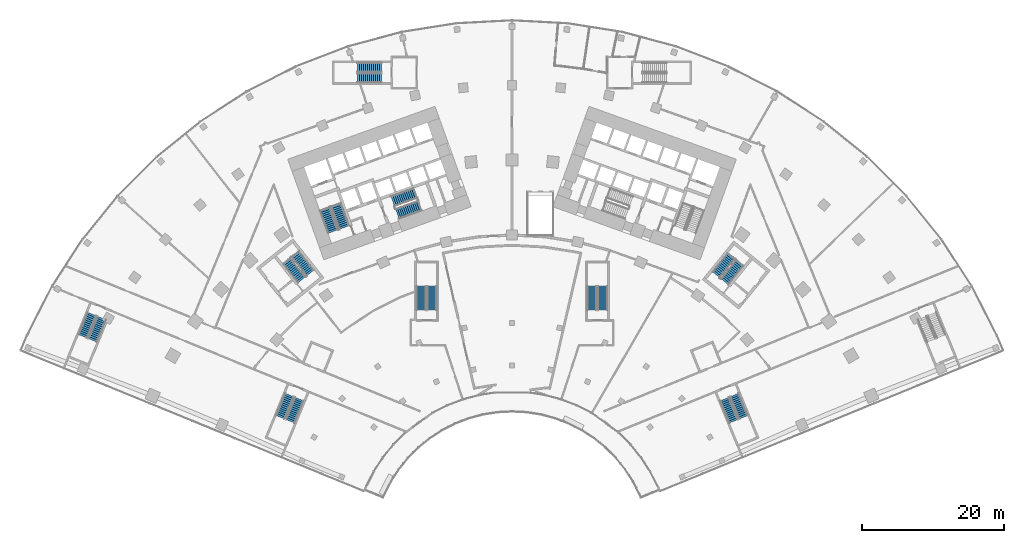
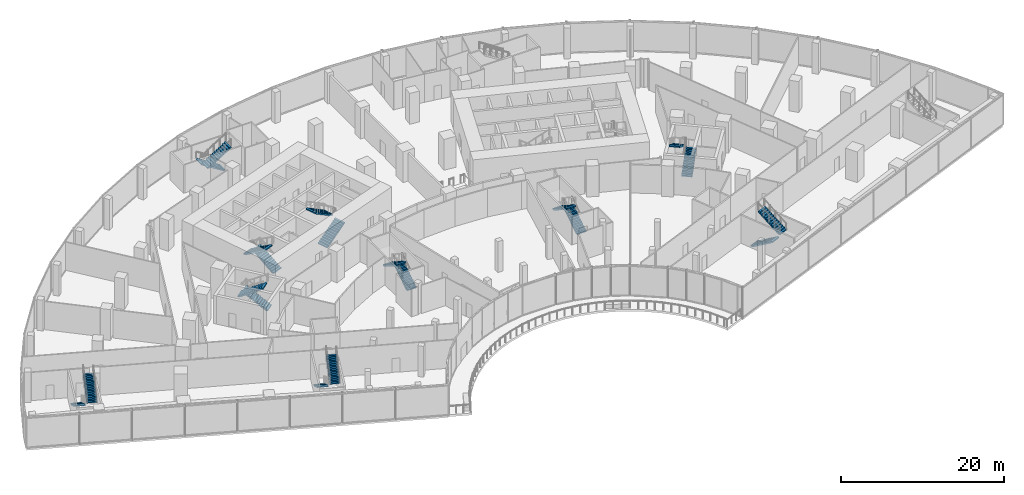
# One storey, part 31 of 40: 20 stair flights, 10 elements without a shape of their own.
"""IFC4 building model written with IfcOpenShell, lengths in metres."""

from ifc_helpers import new_model, si_unit, direction, frame, origin, place, context, subcontext, project, spatial, polyline, outline, extrude, material, layer, layer_set, type_object, element, aggregate, save


model = new_model("IFC4")

# Units and contexts
model_context = context("Model", 3, precision=1e-05, world=origin(), true_north=direction((0.0, 1.0)))
body_context = subcontext(model_context, "Body", "Model", "MODEL_VIEW")
ifc_project = project(units=[si_unit("LENGTHUNIT", "METRE"), si_unit("AREAUNIT", "SQUARE_METRE"), si_unit("VOLUMEUNIT", "CUBIC_METRE"), si_unit("PLANEANGLEUNIT", "RADIAN"), si_unit("MASSUNIT", "GRAM", prefix="KILO")], contexts=[model_context])

# Site, building, storey
site_placement = place(None, origin())
site = spatial("IfcSite", under=ifc_project, at=site_placement, CompositionType="ELEMENT")
building_placement = place(site_placement, origin())
building = spatial("IfcBuilding", under=site, at=building_placement, Name="Stone Belt Terrace Tower", CompositionType="ELEMENT")
storey_placement = place(building_placement, frame((0.0, 0.0, 11.60009765625)))
storey = spatial("IfcBuildingStorey", under=building, at=storey_placement, Name="L02", CompositionType="ELEMENT", Elevation=11.60009765625)

# Stair, stair flights
ifc_material_1 = material(Name="Concrete B30", Category="concrete")
stair_type_1 = type_object("IfcStairType", Name="Podium stair concrete B30", PredefinedType="HALF_TURN_STAIR", material=ifc_material_1)
stair_1_placement = place(storey_placement, origin())
stair_1 = element("IfcStair", 1, at=stair_1_placement, inside=storey, type_object=stair_type_1, Name="L02 podium exit stair 1", PredefinedType="HALF_TURN_STAIR")
ifc_layer = layer(ifc_material_1, 0.14990234375)
ifc_layer_set = layer_set([ifc_layer], Name="Podium stair flight concrete B30")
stair_flight_type_1 = type_object("IfcStairFlightType", Name="Podium stair flight concrete B30", PredefinedType="STRAIGHT", material=ifc_layer_set)
stair_flight_1_placement = place(storey_placement, frame((-31.255126953125, 21.964111328125, 0.0), z_axis=(0.0, 0.0, 1.0), x_axis=(-0.37924309334, -0.925297074541, 0.0)))
stair_flight_1 = element("IfcStairFlight", 2, at=stair_flight_1_placement, type_object=stair_flight_type_1, Name="PS1 flight 1", NumberOfRisers=13, NumberOfTreads=12, PredefinedType="STRAIGHT", RiserHeight=0.176923077, TreadLength=0.28, context=body_context, shape_type="SweptSolid", body=[
    extrude(outline(polyline([(0.0, 0.0), (0.0, 0.177001953125), (0.280029296875, 0.177001953125), (0.280029296875, 0.353759765625), (0.56005859375, 0.353759765625), (0.56005859375, 0.53076171875), (0.840087890625, 0.53076171875), (0.840087890625, 0.707763671875), (1.1201171875, 0.707763671875), (1.1201171875, 0.884521484375), (1.39990234375, 0.884521484375), (1.39990234375, 1.0615234375), (1.679931640625, 1.0615234375), (1.679931640625, 1.238525390625), (1.9599609375, 1.238525390625), (1.9599609375, 1.415283203125), (2.239990234375, 1.415283203125), (2.239990234375, 1.59228515625), (2.52001953125, 1.59228515625), (2.52001953125, 1.769287109375), (2.800048828125, 1.769287109375), (2.800048828125, 1.946044921875), (3.080078125, 1.946044921875), (3.080078125, 2.123046875), (3.360107421875, 2.123046875), (3.360107421875, 2.300048828125), (3.360107421875, 1.94580078125), (0.280517578125, 0.0), (0.0, 0.0)])), frame((0.0, 0.675048828125, 0.0), z_axis=(0.0, -1.0, 0.0), x_axis=(1.0, 0.0, 0.0)), (0.0, 0.0, 1.0), 1.35009765625),
])
stair_flight_2_placement = place(storey_placement, frame((-31.141357421875, 18.2861328125, 2.2998046875), z_axis=(0.0, 0.0, 1.0), x_axis=(0.37924309334, 0.925297074541, 0.0)))
stair_flight_2 = element("IfcStairFlight", 3, at=stair_flight_2_placement, type_object=stair_flight_type_1, Name="PS1 flight 2", NumberOfRisers=13, NumberOfTreads=12, PredefinedType="STRAIGHT", RiserHeight=0.176923077, TreadLength=0.28, context=body_context, shape_type="SweptSolid", body=[
    extrude(outline(polyline([(0.0, 0.0), (0.0, 0.177001953125), (0.280029296875, 0.177001953125), (0.280029296875, 0.353759765625), (0.56005859375, 0.353759765625), (0.56005859375, 0.53076171875), (0.840087890625, 0.53076171875), (0.840087890625, 0.707763671875), (1.1201171875, 0.707763671875), (1.1201171875, 0.884521484375), (1.39990234375, 0.884521484375), (1.39990234375, 1.0615234375), (1.679931640625, 1.0615234375), (1.679931640625, 1.238525390625), (1.9599609375, 1.238525390625), (1.9599609375, 1.415283203125), (2.239990234375, 1.415283203125), (2.239990234375, 1.59228515625), (2.52001953125, 1.59228515625), (2.52001953125, 1.769287109375), (2.800048828125, 1.769287109375), (2.800048828125, 1.946044921875), (3.080078125, 1.946044921875), (3.080078125, 2.123046875), (3.360107421875, 2.123046875), (3.360107421875, 2.300048828125), (3.360107421875, 1.94580078125), (0.280517578125, 0.0), (0.0, 0.0)])), frame((0.0, 0.675048828125, 0.0), z_axis=(0.0, -1.0, 0.0), x_axis=(1.0, 0.0, 0.0)), (0.0, 0.0, 1.0), 1.35009765625),
])
aggregate(stair_1, [stair_flight_1, stair_flight_2])

stair_2_placement = place(storey_placement, origin())
stair_2 = element("IfcStair", 4, at=stair_2_placement, inside=storey, type_object=stair_type_1, Name="L02 podium exit stair 2", PredefinedType="HALF_TURN_STAIR")
stair_flight_3_placement = place(storey_placement, frame((-59.01416015625, 33.34130859375, 0.0), z_axis=(0.0, 0.0, 1.0), x_axis=(-0.37924309334, -0.925297074541, 0.0)))
stair_flight_3 = element("IfcStairFlight", 5, at=stair_flight_3_placement, type_object=stair_flight_type_1, Name="PS2 flight 1", NumberOfRisers=13, NumberOfTreads=12, PredefinedType="STRAIGHT", RiserHeight=0.176923077, TreadLength=0.28, context=body_context, shape_type="SweptSolid", body=[
    extrude(outline(polyline([(0.0, 0.0), (0.0, 0.177001953125), (0.280029296875, 0.177001953125), (0.280029296875, 0.353759765625), (0.56005859375, 0.353759765625), (0.56005859375, 0.53076171875), (0.840087890625, 0.53076171875), (0.840087890625, 0.707763671875), (1.1201171875, 0.707763671875), (1.1201171875, 0.884521484375), (1.39990234375, 0.884521484375), (1.39990234375, 1.0615234375), (1.679931640625, 1.0615234375), (1.679931640625, 1.238525390625), (1.9599609375, 1.238525390625), (1.9599609375, 1.415283203125), (2.239990234375, 1.415283203125), (2.239990234375, 1.59228515625), (2.52001953125, 1.59228515625), (2.52001953125, 1.769287109375), (2.800048828125, 1.769287109375), (2.800048828125, 1.946044921875), (3.080078125, 1.946044921875), (3.080078125, 2.123046875), (3.360107421875, 2.123046875), (3.360107421875, 2.300048828125), (3.360107421875, 1.94580078125), (0.280517578125, 0.0), (0.0, 0.0)])), frame((0.0, 0.675048828125, 0.0), z_axis=(0.0, -1.0, 0.0), x_axis=(1.0, 0.0, 0.0)), (0.0, 0.0, 1.0), 1.35009765625),
])
stair_flight_4_placement = place(storey_placement, frame((-58.900390625, 29.66357421875, 2.2998046875), z_axis=(0.0, 0.0, 1.0), x_axis=(0.37924309334, 0.925297074541, 0.0)))
stair_flight_4 = element("IfcStairFlight", 6, at=stair_flight_4_placement, type_object=stair_flight_type_1, Name="PS2 flight 2", NumberOfRisers=13, NumberOfTreads=12, PredefinedType="STRAIGHT", RiserHeight=0.176923077, TreadLength=0.28, context=body_context, shape_type="SweptSolid", body=[
    extrude(outline(polyline([(0.0, 0.0), (0.0, 0.177001953125), (0.280029296875, 0.177001953125), (0.280029296875, 0.353759765625), (0.56005859375, 0.353759765625), (0.56005859375, 0.53076171875), (0.840087890625, 0.53076171875), (0.840087890625, 0.707763671875), (1.1201171875, 0.707763671875), (1.1201171875, 0.884521484375), (1.39990234375, 0.884521484375), (1.39990234375, 1.0615234375), (1.679931640625, 1.0615234375), (1.679931640625, 1.238525390625), (1.9599609375, 1.238525390625), (1.9599609375, 1.415283203125), (2.239990234375, 1.415283203125), (2.239990234375, 1.59228515625), (2.52001953125, 1.59228515625), (2.52001953125, 1.769287109375), (2.800048828125, 1.769287109375), (2.800048828125, 1.946044921875), (3.080078125, 1.946044921875), (3.080078125, 2.123046875), (3.360107421875, 2.123046875), (3.360107421875, 2.300048828125), (3.360107421875, 1.94580078125), (0.280517578125, 0.0), (0.0, 0.0)])), frame((0.0, 0.675048828125, 0.0), z_axis=(0.0, -1.0, 0.0), x_axis=(1.0, 0.0, 0.0)), (0.0, 0.0, 1.0), 1.35009765625),
])
aggregate(stair_2, [stair_flight_3, stair_flight_4])

stair_3_placement = place(storey_placement, origin())
stair_3 = element("IfcStair", 7, at=stair_3_placement, inside=storey, type_object=stair_type_1, Name="L02 podium exit stair 3", PredefinedType="HALF_TURN_STAIR")
stair_flight_5_placement = place(storey_placement, frame((29.8671875, 21.395263671875, 0.0), z_axis=(0.0, 0.0, 1.0), x_axis=(0.37924309334, -0.925297074541, 0.0)))
stair_flight_5 = element("IfcStairFlight", 8, at=stair_flight_5_placement, type_object=stair_flight_type_1, Name="PS3 flight 1", NumberOfRisers=13, NumberOfTreads=12, PredefinedType="STRAIGHT", RiserHeight=0.176923077, TreadLength=0.28, context=body_context, shape_type="SweptSolid", body=[
    extrude(outline(polyline([(0.0, 0.0), (0.0, 0.177001953125), (0.280029296875, 0.177001953125), (0.280029296875, 0.353759765625), (0.56005859375, 0.353759765625), (0.56005859375, 0.53076171875), (0.840087890625, 0.53076171875), (0.840087890625, 0.707763671875), (1.1201171875, 0.707763671875), (1.1201171875, 0.884521484375), (1.39990234375, 0.884521484375), (1.39990234375, 1.0615234375), (1.679931640625, 1.0615234375), (1.679931640625, 1.238525390625), (1.9599609375, 1.238525390625), (1.9599609375, 1.415283203125), (2.239990234375, 1.415283203125), (2.239990234375, 1.59228515625), (2.52001953125, 1.59228515625), (2.52001953125, 1.769287109375), (2.800048828125, 1.769287109375), (2.800048828125, 1.946044921875), (3.080078125, 1.946044921875), (3.080078125, 2.123046875), (3.360107421875, 2.123046875), (3.360107421875, 2.300048828125), (3.360107421875, 1.94580078125), (0.280517578125, 0.0), (0.0, 0.0)])), frame((0.0, 0.675048828125, 0.0), z_axis=(0.0, -1.0, 0.0), x_axis=(1.0, 0.0, 0.0)), (0.0, 0.0, 1.0), 1.35009765625),
])
stair_flight_6_placement = place(storey_placement, frame((32.529296875, 18.85498046875, 2.2998046875), z_axis=(0.0, 0.0, 1.0), x_axis=(-0.37924309334, 0.925297074541, 0.0)))
stair_flight_6 = element("IfcStairFlight", 9, at=stair_flight_6_placement, type_object=stair_flight_type_1, Name="PS3 flight 2", NumberOfRisers=13, NumberOfTreads=12, PredefinedType="STRAIGHT", RiserHeight=0.176923077, TreadLength=0.28, context=body_context, shape_type="SweptSolid", body=[
    extrude(outline(polyline([(0.0, 0.0), (0.0, 0.177001953125), (0.280029296875, 0.177001953125), (0.280029296875, 0.353759765625), (0.56005859375, 0.353759765625), (0.56005859375, 0.53076171875), (0.840087890625, 0.53076171875), (0.840087890625, 0.707763671875), (1.1201171875, 0.707763671875), (1.1201171875, 0.884521484375), (1.39990234375, 0.884521484375), (1.39990234375, 1.0615234375), (1.679931640625, 1.0615234375), (1.679931640625, 1.238525390625), (1.9599609375, 1.238525390625), (1.9599609375, 1.415283203125), (2.239990234375, 1.415283203125), (2.239990234375, 1.59228515625), (2.52001953125, 1.59228515625), (2.52001953125, 1.769287109375), (2.800048828125, 1.769287109375), (2.800048828125, 1.946044921875), (3.080078125, 1.946044921875), (3.080078125, 2.123046875), (3.360107421875, 2.123046875), (3.360107421875, 2.300048828125), (3.360107421875, 1.94580078125), (0.280517578125, 0.0), (0.0, 0.0)])), frame((0.0, 0.675048828125, 0.0), z_axis=(0.0, -1.0, 0.0), x_axis=(1.0, 0.0, 0.0)), (0.0, 0.0, 1.0), 1.35009765625),
])
aggregate(stair_3, [stair_flight_5, stair_flight_6])

stair_4_placement = place(storey_placement, origin())
stair_4 = element("IfcStair", 10, at=stair_4_placement, inside=storey, type_object=stair_type_1, Name="L02 podium exit stair 5", PredefinedType="HALF_TURN_STAIR")
stair_flight_7_placement = place(storey_placement, frame((-11.25, 33.889892578125, 0.0), z_axis=(0.0, 0.0, 1.0), x_axis=(0.0, 1.0, 0.0)))
stair_flight_7 = element("IfcStairFlight", 11, at=stair_flight_7_placement, type_object=stair_flight_type_1, Name="PS5 flight 1", NumberOfRisers=13, NumberOfTreads=12, PredefinedType="STRAIGHT", RiserHeight=0.176923077, TreadLength=0.28, context=body_context, shape_type="SweptSolid", body=[
    extrude(outline(polyline([(0.0, 0.0), (0.0, 0.177001953125), (0.280029296875, 0.177001953125), (0.280029296875, 0.353759765625), (0.56005859375, 0.353759765625), (0.56005859375, 0.53076171875), (0.840087890625, 0.53076171875), (0.840087890625, 0.707763671875), (1.1201171875, 0.707763671875), (1.1201171875, 0.884521484375), (1.39990234375, 0.884521484375), (1.39990234375, 1.0615234375), (1.679931640625, 1.0615234375), (1.679931640625, 1.238525390625), (1.9599609375, 1.238525390625), (1.9599609375, 1.415283203125), (2.239990234375, 1.415283203125), (2.239990234375, 1.59228515625), (2.52001953125, 1.59228515625), (2.52001953125, 1.769287109375), (2.800048828125, 1.769287109375), (2.800048828125, 1.946044921875), (3.080078125, 1.946044921875), (3.080078125, 2.123046875), (3.360107421875, 2.123046875), (3.360107421875, 2.300048828125), (3.360107421875, 1.94580078125), (0.280517578125, 0.0), (0.0, 0.0)])), frame((0.0, 0.675048828125, 0.0), z_axis=(0.0, -1.0, 0.0), x_axis=(1.0, 0.0, 0.0)), (0.0, 0.0, 1.0), 1.35009765625),
])
stair_flight_8_placement = place(storey_placement, frame((-12.75, 37.25, 2.2998046875), z_axis=(0.0, 0.0, 1.0), x_axis=(0.0, -1.0, 0.0)))
stair_flight_8 = element("IfcStairFlight", 12, at=stair_flight_8_placement, type_object=stair_flight_type_1, Name="PS5 flight 2", NumberOfRisers=13, NumberOfTreads=12, PredefinedType="STRAIGHT", RiserHeight=0.176923077, TreadLength=0.28, context=body_context, shape_type="SweptSolid", body=[
    extrude(outline(polyline([(0.0, 0.0), (0.0, 0.177001953125), (0.280029296875, 0.177001953125), (0.280029296875, 0.353759765625), (0.56005859375, 0.353759765625), (0.56005859375, 0.53076171875), (0.840087890625, 0.53076171875), (0.840087890625, 0.707763671875), (1.1201171875, 0.707763671875), (1.1201171875, 0.884521484375), (1.39990234375, 0.884521484375), (1.39990234375, 1.0615234375), (1.679931640625, 1.0615234375), (1.679931640625, 1.238525390625), (1.9599609375, 1.238525390625), (1.9599609375, 1.415283203125), (2.239990234375, 1.415283203125), (2.239990234375, 1.59228515625), (2.52001953125, 1.59228515625), (2.52001953125, 1.769287109375), (2.800048828125, 1.769287109375), (2.800048828125, 1.946044921875), (3.080078125, 1.946044921875), (3.080078125, 2.123046875), (3.360107421875, 2.123046875), (3.360107421875, 2.300048828125), (3.360107421875, 1.94580078125), (0.280517578125, 0.0), (0.0, 0.0)])), frame((0.0, 0.675048828125, 0.0), z_axis=(0.0, -1.0, 0.0), x_axis=(1.0, 0.0, 0.0)), (0.0, 0.0, 1.0), 1.35009765625),
])
aggregate(stair_4, [stair_flight_7, stair_flight_8])

stair_5_placement = place(storey_placement, origin())
stair_5 = element("IfcStair", 13, at=stair_5_placement, inside=storey, type_object=stair_type_1, Name="L02 podium exit stair 6", PredefinedType="HALF_TURN_STAIR")
stair_flight_9_placement = place(storey_placement, frame((12.75, 33.889892578125, 0.0), z_axis=(0.0, 0.0, 1.0), x_axis=(0.0, 1.0, 0.0)))
stair_flight_9 = element("IfcStairFlight", 14, at=stair_flight_9_placement, type_object=stair_flight_type_1, Name="PS6 flight 1", NumberOfRisers=13, NumberOfTreads=12, PredefinedType="STRAIGHT", RiserHeight=0.176923077, TreadLength=0.28, context=body_context, shape_type="SweptSolid", body=[
    extrude(outline(polyline([(0.0, 0.0), (0.0, 0.177001953125), (0.280029296875, 0.177001953125), (0.280029296875, 0.353759765625), (0.56005859375, 0.353759765625), (0.56005859375, 0.53076171875), (0.840087890625, 0.53076171875), (0.840087890625, 0.707763671875), (1.1201171875, 0.707763671875), (1.1201171875, 0.884521484375), (1.39990234375, 0.884521484375), (1.39990234375, 1.0615234375), (1.679931640625, 1.0615234375), (1.679931640625, 1.238525390625), (1.9599609375, 1.238525390625), (1.9599609375, 1.415283203125), (2.239990234375, 1.415283203125), (2.239990234375, 1.59228515625), (2.52001953125, 1.59228515625), (2.52001953125, 1.769287109375), (2.800048828125, 1.769287109375), (2.800048828125, 1.946044921875), (3.080078125, 1.946044921875), (3.080078125, 2.123046875), (3.360107421875, 2.123046875), (3.360107421875, 2.300048828125), (3.360107421875, 1.94580078125), (0.280517578125, 0.0), (0.0, 0.0)])), frame((0.0, 0.675048828125, 0.0), z_axis=(0.0, -1.0, 0.0), x_axis=(1.0, 0.0, 0.0)), (0.0, 0.0, 1.0), 1.35009765625),
])
stair_flight_10_placement = place(storey_placement, frame((11.25, 37.25, 2.2998046875), z_axis=(0.0, 0.0, 1.0), x_axis=(0.0, -1.0, 0.0)))
stair_flight_10 = element("IfcStairFlight", 15, at=stair_flight_10_placement, type_object=stair_flight_type_1, Name="PS6 flight 2", NumberOfRisers=13, NumberOfTreads=12, PredefinedType="STRAIGHT", RiserHeight=0.176923077, TreadLength=0.28, context=body_context, shape_type="SweptSolid", body=[
    extrude(outline(polyline([(0.0, 0.0), (0.0, 0.177001953125), (0.280029296875, 0.177001953125), (0.280029296875, 0.353759765625), (0.56005859375, 0.353759765625), (0.56005859375, 0.53076171875), (0.840087890625, 0.53076171875), (0.840087890625, 0.707763671875), (1.1201171875, 0.707763671875), (1.1201171875, 0.884521484375), (1.39990234375, 0.884521484375), (1.39990234375, 1.0615234375), (1.679931640625, 1.0615234375), (1.679931640625, 1.238525390625), (1.9599609375, 1.238525390625), (1.9599609375, 1.415283203125), (2.239990234375, 1.415283203125), (2.239990234375, 1.59228515625), (2.52001953125, 1.59228515625), (2.52001953125, 1.769287109375), (2.800048828125, 1.769287109375), (2.800048828125, 1.946044921875), (3.080078125, 1.946044921875), (3.080078125, 2.123046875), (3.360107421875, 2.123046875), (3.360107421875, 2.300048828125), (3.360107421875, 1.94580078125), (0.280517578125, 0.0), (0.0, 0.0)])), frame((0.0, 0.675048828125, 0.0), z_axis=(0.0, -1.0, 0.0), x_axis=(1.0, 0.0, 0.0)), (0.0, 0.0, 1.0), 1.35009765625),
])
aggregate(stair_5, [stair_flight_9, stair_flight_10])

stair_6_placement = place(storey_placement, origin())
stair_6 = element("IfcStair", 16, at=stair_6_placement, inside=storey, type_object=stair_type_1, Name="L02 podium exit stair 7", PredefinedType="HALF_TURN_STAIR")
stair_flight_11_placement = place(storey_placement, frame((-18.340087890625, 68.0, 0.0), z_axis=(0.0, 0.0, 1.0), x_axis=(-1.0, 0.0, 0.0)))
stair_flight_11 = element("IfcStairFlight", 17, at=stair_flight_11_placement, type_object=stair_flight_type_1, Name="PS7 flight 1", NumberOfRisers=13, NumberOfTreads=12, PredefinedType="STRAIGHT", RiserHeight=0.176923077, TreadLength=0.28, context=body_context, shape_type="SweptSolid", body=[
    extrude(outline(polyline([(0.0, 0.0), (0.0, 0.177001953125), (0.280029296875, 0.177001953125), (0.280029296875, 0.353759765625), (0.56005859375, 0.353759765625), (0.56005859375, 0.53076171875), (0.840087890625, 0.53076171875), (0.840087890625, 0.707763671875), (1.1201171875, 0.707763671875), (1.1201171875, 0.884521484375), (1.39990234375, 0.884521484375), (1.39990234375, 1.0615234375), (1.679931640625, 1.0615234375), (1.679931640625, 1.238525390625), (1.9599609375, 1.238525390625), (1.9599609375, 1.415283203125), (2.239990234375, 1.415283203125), (2.239990234375, 1.59228515625), (2.52001953125, 1.59228515625), (2.52001953125, 1.769287109375), (2.800048828125, 1.769287109375), (2.800048828125, 1.946044921875), (3.080078125, 1.946044921875), (3.080078125, 2.123046875), (3.360107421875, 2.123046875), (3.360107421875, 2.300048828125), (3.360107421875, 1.94580078125), (0.280517578125, 0.0), (0.0, 0.0)])), frame((0.0, 0.675048828125, 0.0), z_axis=(0.0, -1.0, 0.0), x_axis=(1.0, 0.0, 0.0)), (0.0, 0.0, 1.0), 1.35009765625),
])
stair_flight_12_placement = place(storey_placement, frame((-21.699951171875, 66.5, 2.2998046875), z_axis=(0.0, 0.0, 1.0), x_axis=(1.0, 0.0, 0.0)))
stair_flight_12 = element("IfcStairFlight", 18, at=stair_flight_12_placement, type_object=stair_flight_type_1, Name="PS7 flight 2", NumberOfRisers=13, NumberOfTreads=12, PredefinedType="STRAIGHT", RiserHeight=0.176923077, TreadLength=0.28, context=body_context, shape_type="SweptSolid", body=[
    extrude(outline(polyline([(0.0, 0.0), (0.0, 0.177001953125), (0.280029296875, 0.177001953125), (0.280029296875, 0.353759765625), (0.56005859375, 0.353759765625), (0.56005859375, 0.53076171875), (0.840087890625, 0.53076171875), (0.840087890625, 0.707763671875), (1.1201171875, 0.707763671875), (1.1201171875, 0.884521484375), (1.39990234375, 0.884521484375), (1.39990234375, 1.0615234375), (1.679931640625, 1.0615234375), (1.679931640625, 1.238525390625), (1.9599609375, 1.238525390625), (1.9599609375, 1.415283203125), (2.239990234375, 1.415283203125), (2.239990234375, 1.59228515625), (2.52001953125, 1.59228515625), (2.52001953125, 1.769287109375), (2.800048828125, 1.769287109375), (2.800048828125, 1.946044921875), (3.080078125, 1.946044921875), (3.080078125, 2.123046875), (3.360107421875, 2.123046875), (3.360107421875, 2.300048828125), (3.360107421875, 1.94580078125), (0.280517578125, 0.0), (0.0, 0.0)])), frame((0.0, 0.675048828125, 0.0), z_axis=(0.0, -1.0, 0.0), x_axis=(1.0, 0.0, 0.0)), (0.0, 0.0, 1.0), 1.35009765625),
])
aggregate(stair_6, [stair_flight_11, stair_flight_12])

ifc_material_2 = material(Name="Concrete B40", Category="concrete")
stair_type_2 = type_object("IfcStairType", Name="Exit stair 1500", PredefinedType="HALF_TURN_STAIR", material=ifc_material_2)
stair_7_placement = place(storey_placement, origin())
stair_7 = element("IfcStair", 19, at=stair_7_placement, inside=storey, type_object=stair_type_2, Name="L02 Exit stair 1 core A", PredefinedType="HALF_TURN_STAIR")
stair_flight_type_2 = type_object("IfcStairFlightType", Name="Stair flight 1500", PredefinedType="STRAIGHT", material=ifc_material_2)
stair_flight_13_placement = place(storey_placement, frame((-23.55322265625, 45.51318359375, 0.0), z_axis=(0.0, 0.0, 1.0), x_axis=(-0.338624396177, 0.940921632398, 0.0)))
stair_flight_13 = element("IfcStairFlight", 20, at=stair_flight_13_placement, type_object=stair_flight_type_2, Name="ST1A flight 1", NumberOfRisers=13, NumberOfTreads=12, PredefinedType="STRAIGHT", RiserHeight=0.176923077, TreadLength=0.28, context=body_context, shape_type="SweptSolid", body=[
    extrude(outline(polyline([(0.0, 0.0), (0.0, 0.177001953125), (0.280029296875, 0.177001953125), (0.280029296875, 0.353759765625), (0.56005859375, 0.353759765625), (0.56005859375, 0.53076171875), (0.840087890625, 0.53076171875), (0.840087890625, 0.707763671875), (1.1201171875, 0.707763671875), (1.1201171875, 0.884521484375), (1.39990234375, 0.884521484375), (1.39990234375, 1.0615234375), (1.679931640625, 1.0615234375), (1.679931640625, 1.238525390625), (1.9599609375, 1.238525390625), (1.9599609375, 1.415283203125), (2.239990234375, 1.415283203125), (2.239990234375, 1.59228515625), (2.52001953125, 1.59228515625), (2.52001953125, 1.769287109375), (2.800048828125, 1.769287109375), (2.800048828125, 1.946044921875), (3.080078125, 1.946044921875), (3.080078125, 2.123046875), (3.360107421875, 2.123046875), (3.360107421875, 2.300048828125), (3.360107421875, 1.94580078125), (0.280517578125, 0.0), (0.0, 0.0)])), frame((0.0, 0.75, 0.0), z_axis=(0.0, -1.0, 0.0), x_axis=(1.0, 0.0, 0.0)), (0.0, 0.0, 1.0), 1.5),
])
stair_flight_14_placement = place(storey_placement, frame((-26.290771484375, 48.098876953125, 2.2998046875), z_axis=(0.0, 0.0, 1.0), x_axis=(0.338624396177, -0.940921632398, 0.0)))
stair_flight_14 = element("IfcStairFlight", 21, at=stair_flight_14_placement, type_object=stair_flight_type_2, Name="ST1A flight 2", NumberOfRisers=13, NumberOfTreads=12, PredefinedType="STRAIGHT", RiserHeight=0.176923077, TreadLength=0.28, context=body_context, shape_type="SweptSolid", body=[
    extrude(outline(polyline([(0.0, 0.0), (0.0, 0.177001953125), (0.280029296875, 0.177001953125), (0.280029296875, 0.353759765625), (0.56005859375, 0.353759765625), (0.56005859375, 0.53076171875), (0.840087890625, 0.53076171875), (0.840087890625, 0.707763671875), (1.1201171875, 0.707763671875), (1.1201171875, 0.884521484375), (1.39990234375, 0.884521484375), (1.39990234375, 1.0615234375), (1.679931640625, 1.0615234375), (1.679931640625, 1.238525390625), (1.9599609375, 1.238525390625), (1.9599609375, 1.415283203125), (2.239990234375, 1.415283203125), (2.239990234375, 1.59228515625), (2.52001953125, 1.59228515625), (2.52001953125, 1.769287109375), (2.800048828125, 1.769287109375), (2.800048828125, 1.946044921875), (3.080078125, 1.946044921875), (3.080078125, 2.123046875), (3.360107421875, 2.123046875), (3.360107421875, 2.300048828125), (3.360107421875, 1.94580078125), (0.280517578125, 0.0), (0.0, 0.0)])), frame((0.0, 0.75, 0.0), z_axis=(0.0, -1.0, 0.0), x_axis=(1.0, 0.0, 0.0)), (0.0, 0.0, 1.0), 1.5),
])
aggregate(stair_7, [stair_flight_13, stair_flight_14])

stair_8_placement = place(storey_placement, origin())
stair_8 = element("IfcStair", 22, at=stair_8_placement, inside=storey, type_object=stair_type_2, Name="L02 Exit stair 2 core A", PredefinedType="HALF_TURN_STAIR")
stair_flight_15_placement = place(storey_placement, frame((-16.101318359375, 47.39794921875, 0.0), z_axis=(0.0, 0.0, 1.0), x_axis=(0.940921632398, 0.338624396177, 0.0)))
stair_flight_15 = element("IfcStairFlight", 23, at=stair_flight_15_placement, type_object=stair_flight_type_2, Name="ST2A flight 1", NumberOfRisers=13, NumberOfTreads=12, PredefinedType="STRAIGHT", RiserHeight=0.176923077, TreadLength=0.28, context=body_context, shape_type="SweptSolid", body=[
    extrude(outline(polyline([(0.0, 0.0), (0.0, 0.177001953125), (0.280029296875, 0.177001953125), (0.280029296875, 0.353759765625), (0.56005859375, 0.353759765625), (0.56005859375, 0.53076171875), (0.840087890625, 0.53076171875), (0.840087890625, 0.707763671875), (1.1201171875, 0.707763671875), (1.1201171875, 0.884521484375), (1.39990234375, 0.884521484375), (1.39990234375, 1.0615234375), (1.679931640625, 1.0615234375), (1.679931640625, 1.238525390625), (1.9599609375, 1.238525390625), (1.9599609375, 1.415283203125), (2.239990234375, 1.415283203125), (2.239990234375, 1.59228515625), (2.52001953125, 1.59228515625), (2.52001953125, 1.769287109375), (2.800048828125, 1.769287109375), (2.800048828125, 1.946044921875), (3.080078125, 1.946044921875), (3.080078125, 2.123046875), (3.360107421875, 2.123046875), (3.360107421875, 2.300048828125), (3.360107421875, 1.94580078125), (0.280517578125, 0.0), (0.0, 0.0)])), frame((0.0, 0.75, 0.0), z_axis=(0.0, -1.0, 0.0), x_axis=(1.0, 0.0, 0.0)), (0.0, 0.0, 1.0), 1.5),
])
stair_flight_16_placement = place(storey_placement, frame((-13.583251953125, 50.323486328125, 2.2998046875), z_axis=(0.0, 0.0, 1.0), x_axis=(-0.940921632398, -0.338624396177, 0.0)))
stair_flight_16 = element("IfcStairFlight", 24, at=stair_flight_16_placement, type_object=stair_flight_type_2, Name="ST2A flight 2", NumberOfRisers=13, NumberOfTreads=12, PredefinedType="STRAIGHT", RiserHeight=0.176923077, TreadLength=0.28, context=body_context, shape_type="SweptSolid", body=[
    extrude(outline(polyline([(0.0, 0.0), (0.0, 0.177001953125), (0.280029296875, 0.177001953125), (0.280029296875, 0.353759765625), (0.56005859375, 0.353759765625), (0.56005859375, 0.53076171875), (0.840087890625, 0.53076171875), (0.840087890625, 0.707763671875), (1.1201171875, 0.707763671875), (1.1201171875, 0.884521484375), (1.39990234375, 0.884521484375), (1.39990234375, 1.0615234375), (1.679931640625, 1.0615234375), (1.679931640625, 1.238525390625), (1.9599609375, 1.238525390625), (1.9599609375, 1.415283203125), (2.239990234375, 1.415283203125), (2.239990234375, 1.59228515625), (2.52001953125, 1.59228515625), (2.52001953125, 1.769287109375), (2.800048828125, 1.769287109375), (2.800048828125, 1.946044921875), (3.080078125, 1.946044921875), (3.080078125, 2.123046875), (3.360107421875, 2.123046875), (3.360107421875, 2.300048828125), (3.360107421875, 1.94580078125), (0.280517578125, 0.0), (0.0, 0.0)])), frame((0.0, 0.75, 0.0), z_axis=(0.0, -1.0, 0.0), x_axis=(1.0, 0.0, 0.0)), (0.0, 0.0, 1.0), 1.5),
])
aggregate(stair_8, [stair_flight_15, stair_flight_16])

stair_9_placement = place(storey_placement, origin())
stair_9 = element("IfcStair", 25, at=stair_9_placement, inside=storey, type_object=stair_type_2, Name="L02 Exit stair 3A", PredefinedType="HALF_TURN_STAIR")
stair_flight_17_placement = place(storey_placement, frame((-28.325439453125, 39.1240234375, 0.0), z_axis=(0.0, 0.0, 1.0), x_axis=(-0.623121363691, 0.782125160132, 0.0)))
stair_flight_17 = element("IfcStairFlight", 26, at=stair_flight_17_placement, type_object=stair_flight_type_2, Name="ST3A flight 1", NumberOfRisers=13, NumberOfTreads=12, PredefinedType="STRAIGHT", RiserHeight=0.176923077, TreadLength=0.28, context=body_context, shape_type="SweptSolid", body=[
    extrude(outline(polyline([(0.0, 0.0), (0.0, 0.177001953125), (0.280029296875, 0.177001953125), (0.280029296875, 0.353759765625), (0.56005859375, 0.353759765625), (0.56005859375, 0.53076171875), (0.840087890625, 0.53076171875), (0.840087890625, 0.707763671875), (1.1201171875, 0.707763671875), (1.1201171875, 0.884521484375), (1.39990234375, 0.884521484375), (1.39990234375, 1.0615234375), (1.679931640625, 1.0615234375), (1.679931640625, 1.238525390625), (1.9599609375, 1.238525390625), (1.9599609375, 1.415283203125), (2.239990234375, 1.415283203125), (2.239990234375, 1.59228515625), (2.52001953125, 1.59228515625), (2.52001953125, 1.769287109375), (2.800048828125, 1.769287109375), (2.800048828125, 1.946044921875), (3.080078125, 1.946044921875), (3.080078125, 2.123046875), (3.360107421875, 2.123046875), (3.360107421875, 2.300048828125), (3.360107421875, 1.94580078125), (0.280517578125, 0.0), (0.0, 0.0)])), frame((0.0, 0.675048828125, 0.0), z_axis=(0.0, -1.0, 0.0), x_axis=(1.0, 0.0, 0.0)), (0.0, 0.0, 1.0), 1.35009765625),
])
stair_flight_18_placement = place(storey_placement, frame((-31.63134765625, 40.7861328125, 2.2998046875), z_axis=(0.0, 0.0, 1.0), x_axis=(0.623121363691, -0.782125160132, 0.0)))
stair_flight_18 = element("IfcStairFlight", 27, at=stair_flight_18_placement, type_object=stair_flight_type_2, Name="ST3A flight 2", NumberOfRisers=13, NumberOfTreads=12, PredefinedType="STRAIGHT", RiserHeight=0.176923077, TreadLength=0.28, context=body_context, shape_type="SweptSolid", body=[
    extrude(outline(polyline([(0.0, 0.0), (0.0, 0.177001953125), (0.280029296875, 0.177001953125), (0.280029296875, 0.353759765625), (0.56005859375, 0.353759765625), (0.56005859375, 0.53076171875), (0.840087890625, 0.53076171875), (0.840087890625, 0.707763671875), (1.1201171875, 0.707763671875), (1.1201171875, 0.884521484375), (1.39990234375, 0.884521484375), (1.39990234375, 1.0615234375), (1.679931640625, 1.0615234375), (1.679931640625, 1.238525390625), (1.9599609375, 1.238525390625), (1.9599609375, 1.415283203125), (2.239990234375, 1.415283203125), (2.239990234375, 1.59228515625), (2.52001953125, 1.59228515625), (2.52001953125, 1.769287109375), (2.800048828125, 1.769287109375), (2.800048828125, 1.946044921875), (3.080078125, 1.946044921875), (3.080078125, 2.123046875), (3.360107421875, 2.123046875), (3.360107421875, 2.300048828125), (3.360107421875, 1.94580078125), (0.280517578125, 0.0), (0.0, 0.0)])), frame((0.0, 0.675048828125, 0.0), z_axis=(0.0, -1.0, 0.0), x_axis=(1.0, 0.0, 0.0)), (0.0, 0.0, 1.0), 1.35009765625),
])
aggregate(stair_9, [stair_flight_17, stair_flight_18])

stair_10_placement = place(storey_placement, origin())
stair_10 = element("IfcStair", 28, at=stair_10_placement, inside=storey, type_object=stair_type_2, Name="L02 Exit stair 3B", PredefinedType="HALF_TURN_STAIR")
stair_flight_19_placement = place(storey_placement, frame((29.88330078125, 37.887939453125, 0.0), z_axis=(0.0, 0.0, 1.0), x_axis=(0.630205749599, 0.776428176441, 0.0)))
stair_flight_19 = element("IfcStairFlight", 29, at=stair_flight_19_placement, type_object=stair_flight_type_2, Name="ST3B flight 1", NumberOfRisers=13, NumberOfTreads=12, PredefinedType="STRAIGHT", RiserHeight=0.176923077, TreadLength=0.28, context=body_context, shape_type="SweptSolid", body=[
    extrude(outline(polyline([(0.0, 0.0), (0.0, 0.177001953125), (0.280029296875, 0.177001953125), (0.280029296875, 0.353759765625), (0.56005859375, 0.353759765625), (0.56005859375, 0.53076171875), (0.840087890625, 0.53076171875), (0.840087890625, 0.707763671875), (1.1201171875, 0.707763671875), (1.1201171875, 0.884521484375), (1.39990234375, 0.884521484375), (1.39990234375, 1.0615234375), (1.679931640625, 1.0615234375), (1.679931640625, 1.238525390625), (1.9599609375, 1.238525390625), (1.9599609375, 1.415283203125), (2.239990234375, 1.415283203125), (2.239990234375, 1.59228515625), (2.52001953125, 1.59228515625), (2.52001953125, 1.769287109375), (2.800048828125, 1.769287109375), (2.800048828125, 1.946044921875), (3.080078125, 1.946044921875), (3.080078125, 2.123046875), (3.360107421875, 2.123046875), (3.360107421875, 2.300048828125), (3.360107421875, 1.94580078125), (0.280517578125, 0.0), (0.0, 0.0)])), frame((0.0, 0.675048828125, 0.0), z_axis=(0.0, -1.0, 0.0), x_axis=(1.0, 0.0, 0.0)), (0.0, 0.0, 1.0), 1.35009765625),
])
stair_flight_20_placement = place(storey_placement, frame((30.79736328125, 41.4736328125, 2.2998046875), z_axis=(0.0, 0.0, 1.0), x_axis=(-0.630205749599, -0.776428176441, 0.0)))
stair_flight_20 = element("IfcStairFlight", 30, at=stair_flight_20_placement, type_object=stair_flight_type_2, Name="ST3B flight 2", NumberOfRisers=13, NumberOfTreads=12, PredefinedType="STRAIGHT", RiserHeight=0.176923077, TreadLength=0.28, context=body_context, shape_type="SweptSolid", body=[
    extrude(outline(polyline([(0.0, 0.0), (0.0, 0.177001953125), (0.280029296875, 0.177001953125), (0.280029296875, 0.353759765625), (0.56005859375, 0.353759765625), (0.56005859375, 0.53076171875), (0.840087890625, 0.53076171875), (0.840087890625, 0.707763671875), (1.1201171875, 0.707763671875), (1.1201171875, 0.884521484375), (1.39990234375, 0.884521484375), (1.39990234375, 1.0615234375), (1.679931640625, 1.0615234375), (1.679931640625, 1.238525390625), (1.9599609375, 1.238525390625), (1.9599609375, 1.415283203125), (2.239990234375, 1.415283203125), (2.239990234375, 1.59228515625), (2.52001953125, 1.59228515625), (2.52001953125, 1.769287109375), (2.800048828125, 1.769287109375), (2.800048828125, 1.946044921875), (3.080078125, 1.946044921875), (3.080078125, 2.123046875), (3.360107421875, 2.123046875), (3.360107421875, 2.300048828125), (3.360107421875, 1.94580078125), (0.280517578125, 0.0), (0.0, 0.0)])), frame((0.0, 0.675048828125, 0.0), z_axis=(0.0, -1.0, 0.0), x_axis=(1.0, 0.0, 0.0)), (0.0, 0.0, 1.0), 1.35009765625),
])
aggregate(stair_10, [stair_flight_19, stair_flight_20])

save(model, "model.ifc")
